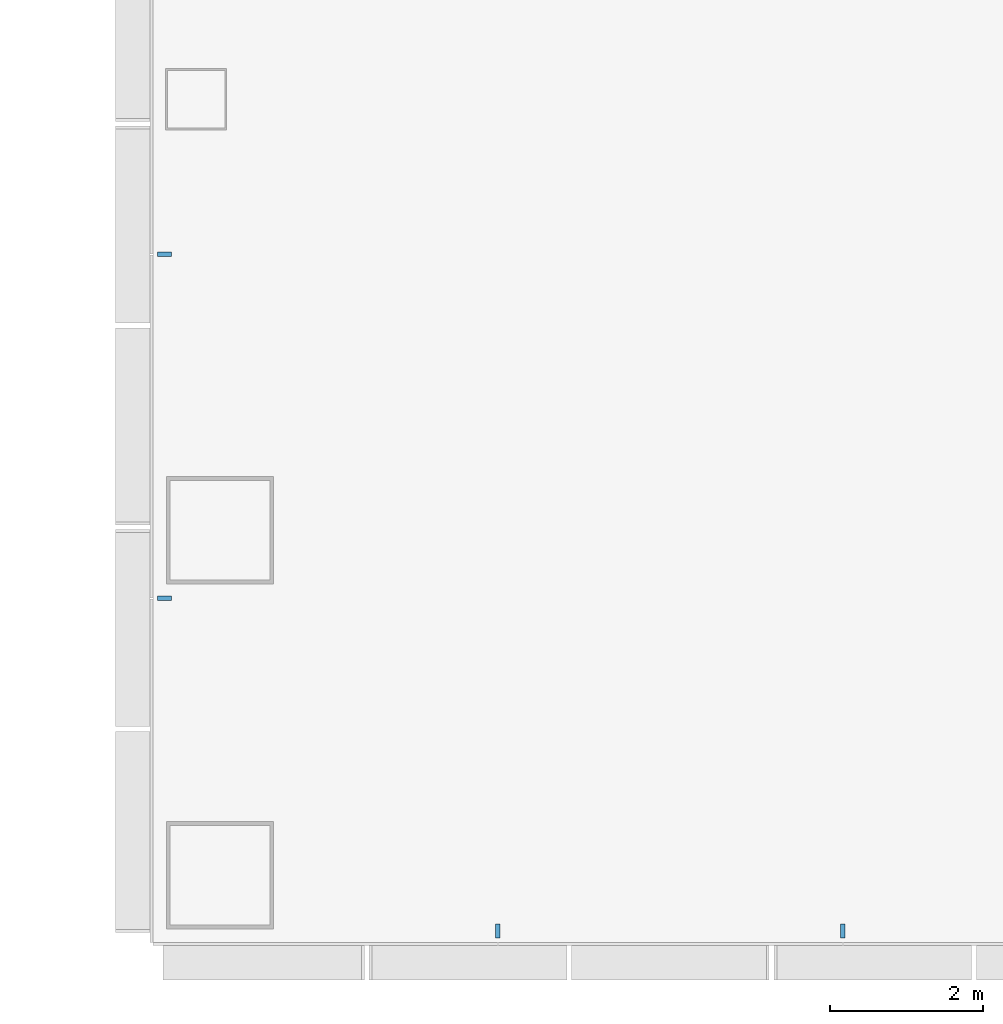
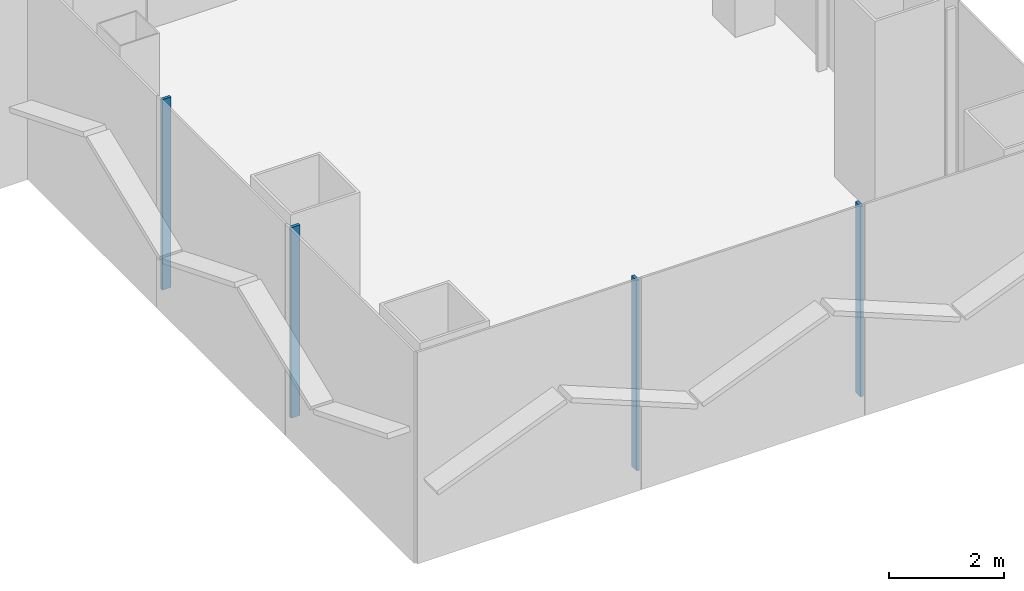
# One storey, part 3 of 22: 4 members, 2 elements without a shape of their own.
"""IFC4 building model written with IfcOpenShell, lengths in metres."""

from ifc_helpers import new_model, si_unit, direction, frame, origin, origin_2d, place, context, subcontext, project, spatial, rectangle, extrude, material, layer, layer_set, material_profile, profile_set, type_object, element, aggregate, save


model = new_model("IFC4")

# Units and contexts
model_context = context("Model", 3, precision=1e-05, world=origin(), true_north=direction((0.0, 1.0)))
body_context = subcontext(model_context, "Body", "Model", "MODEL_VIEW")
ifc_project = project(units=[si_unit("LENGTHUNIT", "METRE"), si_unit("AREAUNIT", "SQUARE_METRE"), si_unit("VOLUMEUNIT", "CUBIC_METRE"), si_unit("PLANEANGLEUNIT", "RADIAN"), si_unit("MASSUNIT", "GRAM", prefix="KILO")], contexts=[model_context])

# Site, building, storey
site_placement = place(None, origin())
site = spatial("IfcSite", under=ifc_project, at=site_placement, CompositionType="ELEMENT")
building_placement = place(site_placement, origin())
building = spatial("IfcBuilding", under=site, at=building_placement, Name="Shamsa Quay Exchange Towers", CompositionType="ELEMENT")
storey_placement = place(building_placement, frame((0.0, 0.0, 33.0)))
storey = spatial("IfcBuildingStorey", under=building, at=storey_placement, Name="L06", CompositionType="ELEMENT", Elevation=33.0)

# Curtain wall, members
ifc_material = material(Name="Aluminium EN AW-6063 T6, black anodised", Category="aluminium")
ifc_layer = layer(ifc_material, 0.280029296875)
ifc_layer_set = layer_set([ifc_layer], Name="CW-1 UNITISED VISION GLASS")
curtain_wall_type = type_object("IfcCurtainWallType", Name="CW-1 UNITISED VISION GLASS", PredefinedType="NOTDEFINED", material=ifc_layer_set)
curtain_wall_1_placement = place(storey_placement, origin())
curtain_wall_1 = element("IfcCurtainWall", 1, at=curtain_wall_1_placement, inside=storey, type_object=curtain_wall_type, Name="CW1 T1-FLK-V-W L06", PredefinedType="NOTDEFINED")
ifc_material_profile = material_profile(ifc_material, rectangle(XDim=0.179931640625, YDim=0.06005859375, at=origin_2d()), Name="MU60x180")
ifc_profile_set = profile_set([ifc_material_profile], Name="Aluminium EN AW-6063 T6, black anodised")
member_type = type_object("IfcMemberType", Name="CW1 MULLION 60x180", PredefinedType="MULLION", material=ifc_profile_set)
member_1_placement = place(storey_placement, frame((-40.35009765625, -15.775390625, 0.0)))
member_1 = element("IfcMember", 2, at=member_1_placement, type_object=member_type, Name="CW1 mullion", PredefinedType="MULLION", context=body_context, shape_type="SweptSolid", body=[
    extrude(rectangle(XDim=0.179931640625, YDim=0.06005859375, at=origin_2d()), origin(), (0.0, 0.0, 1.0), 4.050048828125),
])
member_2_placement = place(storey_placement, frame((-40.35009765625, -20.2626953125, 0.0)))
member_2 = element("IfcMember", 3, at=member_2_placement, type_object=member_type, Name="CW1 mullion", PredefinedType="MULLION", context=body_context, shape_type="SweptSolid", body=[
    extrude(rectangle(XDim=0.179931640625, YDim=0.06005859375, at=origin_2d()), origin(), (0.0, 0.0, 1.0), 4.050048828125),
])
aggregate(curtain_wall_1, [member_1, member_2])

curtain_wall_2_placement = place(storey_placement, origin())
curtain_wall_2 = element("IfcCurtainWall", 4, at=curtain_wall_2_placement, inside=storey, type_object=curtain_wall_type, Name="CW1 T1-END-V- L06", PredefinedType="NOTDEFINED")
member_3_placement = place(storey_placement, frame((-36.0, -24.60009765625, 0.0), z_axis=(0.0, 0.0, 1.0), x_axis=(0.0, 1.0, 0.0)))
member_3 = element("IfcMember", 5, at=member_3_placement, type_object=member_type, Name="CW1 mullion", PredefinedType="MULLION", context=body_context, shape_type="SweptSolid", body=[
    extrude(rectangle(XDim=0.179931640625, YDim=0.06005859375, at=origin_2d()), origin(), (0.0, 0.0, 1.0), 4.050048828125),
])
member_4_placement = place(storey_placement, frame((-31.5, -24.60009765625, 0.0), z_axis=(0.0, 0.0, 1.0), x_axis=(0.0, 1.0, 0.0)))
member_4 = element("IfcMember", 6, at=member_4_placement, type_object=member_type, Name="CW1 mullion", PredefinedType="MULLION", context=body_context, shape_type="SweptSolid", body=[
    extrude(rectangle(XDim=0.179931640625, YDim=0.06005859375, at=origin_2d()), origin(), (0.0, 0.0, 1.0), 4.050048828125),
])
aggregate(curtain_wall_2, [member_3, member_4])

save(model, "model.ifc")
